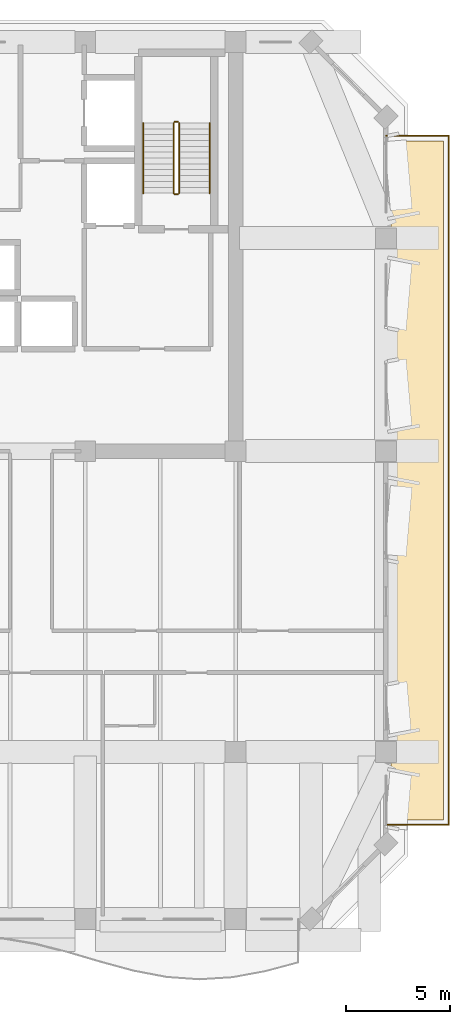
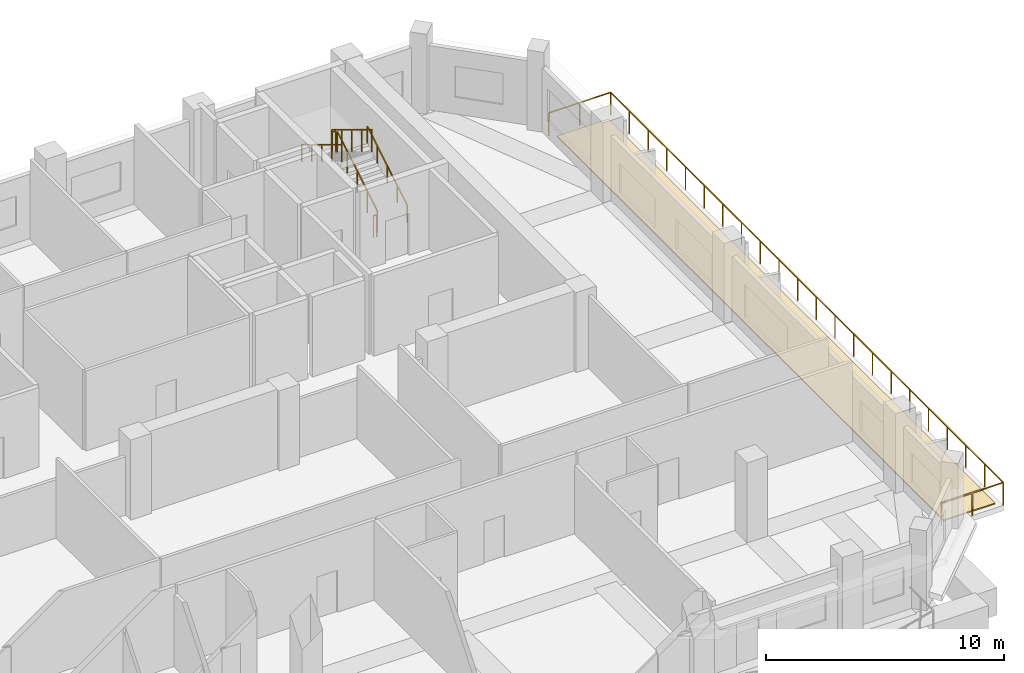
# One storey, part 12 of 12: 7 railings, 1 covering.
"""IFC4 building model written with IfcOpenShell, lengths in metres."""

from ifc_helpers import new_model, si_unit, direction, frame, origin, origin_2d, place, context, subcontext, project, spatial, polyline, rectangle, outline, extrude, material, layer, layer_set, type_object, element, save


model = new_model("IFC4")

# Units and contexts
model_context = context("Model", 3, precision=1e-05, world=origin(), true_north=direction((0.0, 1.0)))
body_context = subcontext(model_context, "Body", "Model", "MODEL_VIEW")
ifc_project = project(units=[si_unit("LENGTHUNIT", "METRE"), si_unit("AREAUNIT", "SQUARE_METRE"), si_unit("VOLUMEUNIT", "CUBIC_METRE"), si_unit("PLANEANGLEUNIT", "RADIAN"), si_unit("MASSUNIT", "GRAM", prefix="KILO")], contexts=[model_context])

# Site, building, storey
site_placement = place(None, origin())
site = spatial("IfcSite", under=ifc_project, at=site_placement, CompositionType="ELEMENT")
building_placement = place(site_placement, origin())
building = spatial("IfcBuilding", under=site, at=building_placement, Name="Kaelvorn Grand Hotel", CompositionType="ELEMENT")
storey_placement = place(building_placement, frame((0.0, 0.0, 285.89990234375)))
storey = spatial("IfcBuildingStorey", under=building, at=storey_placement, Name="L70", CompositionType="ELEMENT", Elevation=285.89990234375)

# Covering
ifc_material_1 = material(Name="Insulated Elastomeric Waterproofing Roof Membrane")
ifc_layer = layer(ifc_material_1, 0.1201171875)
ifc_layer_set = layer_set([ifc_layer], Name="Insulated Elastomeric Waterproofing Roof Membrane")
covering_type = type_object("IfcCoveringType", Name="COV-ROOF-MEMBRANE-120", PredefinedType="ROOFING", material=ifc_layer_set)
covering_placement = place(storey_placement, origin())
element("IfcCovering", 1, at=covering_placement, inside=storey, type_object=covering_type, Name="L70 Setback Terrace Waterproofing Membrane E", PredefinedType="ROOFING", context=body_context, shape_type="SweptSolid", body=[
    extrude(outline(polyline([(75.25, 11.75), (77.75, 11.75), (77.75, 44.25), (75.25, 44.25), (75.25, 11.75)])), origin(), (0.0, 0.0, 1.0), 0.06005859375),
])

# Railings
ifc_material_2 = material(Name="Stainless Steel", Category="steel")
railing_type_1 = type_object("IfcRailingType", Name="RL-HANDRAIL-900", PredefinedType="HANDRAIL", material=ifc_material_2)
railing_1_placement = place(storey_placement, frame((66.550048828125, 41.760009765625, 0.16943359375)))
element("IfcRailing", 2, at=railing_1_placement, inside=storey, type_object=railing_type_1, Name="L70 ST3 stair handrail 1", PredefinedType="HANDRAIL", context=body_context, shape_type="SweptSolid", body=[
    extrude(rectangle(XDim=0.048095703125, YDim=0.048095703125, at=origin_2d()), frame((0.0, 0.0, 0.8759765625), z_axis=(0.0, 0.855836976705, 0.517245656632), x_axis=(-1.0, 0.0, 0.0)), (0.0, 0.0, 1.0), 3.926025390625),
    extrude(rectangle(XDim=0.0419921875, YDim=0.0419921875, at=origin_2d()), origin(), (0.0, 0.0, 1.0), 0.851806640625),
    extrude(rectangle(XDim=0.0419921875, YDim=0.0419921875, at=origin_2d()), frame((0.0, 0.840087890625, 0.5078125)), (0.0, 0.0, 1.0), 0.851806640625),
    extrude(rectangle(XDim=0.0419921875, YDim=0.0419921875, at=origin_2d()), frame((0.0, 1.68017578125, 1.015380859375)), (0.0, 0.0, 1.0), 0.851806640625),
    extrude(rectangle(XDim=0.0419921875, YDim=0.0419921875, at=origin_2d()), frame((0.0, 2.52001953125, 1.52294921875)), (0.0, 0.0, 1.0), 0.851806640625),
    extrude(rectangle(XDim=0.0419921875, YDim=0.0419921875, at=origin_2d()), frame((0.0, 3.360107421875, 2.03076171875)), (0.0, 0.0, 1.0), 0.851806640625),
])
railing_2_placement = place(storey_placement, frame((63.3701171875, 45.1201171875, 2.369384765625)))
element("IfcRailing", 3, at=railing_2_placement, inside=storey, type_object=railing_type_1, Name="L70 ST3 stair handrail 2", PredefinedType="HANDRAIL", context=body_context, shape_type="SweptSolid", body=[
    extrude(rectangle(XDim=0.048095703125, YDim=0.048095703125, at=origin_2d()), frame((0.0, 0.0, 0.8759765625), z_axis=(0.0, -0.855836976705, 0.517245656632), x_axis=(1.0, 0.0, 0.0)), (0.0, 0.0, 1.0), 3.926025390625),
    extrude(rectangle(XDim=0.0419921875, YDim=0.0419921875, at=origin_2d()), origin(), (0.0, 0.0, 1.0), 0.851806640625),
    extrude(rectangle(XDim=0.0419921875, YDim=0.0419921875, at=origin_2d()), frame((0.0, -0.840087890625, 0.5078125)), (0.0, 0.0, 1.0), 0.851806640625),
    extrude(rectangle(XDim=0.0419921875, YDim=0.0419921875, at=origin_2d()), frame((0.0, -1.68017578125, 1.015380859375)), (0.0, 0.0, 1.0), 0.851806640625),
    extrude(rectangle(XDim=0.0419921875, YDim=0.0419921875, at=origin_2d()), frame((0.0, -2.52001953125, 1.52294921875)), (0.0, 0.0, 1.0), 0.851806640625),
    extrude(rectangle(XDim=0.0419921875, YDim=0.0419921875, at=origin_2d()), frame((0.0, -3.360107421875, 2.03076171875)), (0.0, 0.0, 1.0), 0.851806640625),
])
railing_type_2 = type_object("IfcRailingType", Name="RL-OBS-1200", PredefinedType="BALUSTRADE", material=ifc_material_2)
railing_3_placement = place(storey_placement, frame((75.0, 44.5, 0.0)))
element("IfcRailing", 4, at=railing_3_placement, inside=storey, type_object=railing_type_2, Name="L70 Setback Sky Terrace Balustrade E", PredefinedType="BALUSTRADE", context=body_context, shape_type="SweptSolid", body=[
    extrude(rectangle(XDim=0.048095703125, YDim=0.048095703125, at=origin_2d()), frame((0.0, 0.0, 1.17578125), z_axis=(1.0, 0.0, 0.0), x_axis=(0.0, 1.0, 0.0)), (0.0, 0.0, 1.0), 3.0),
    extrude(rectangle(XDim=0.048095703125, YDim=0.048095703125, at=origin_2d()), frame((3.0, 0.0, 1.17578125), z_axis=(0.0, -1.0, 0.0), x_axis=(1.0, 0.0, 0.0)), (0.0, 0.0, 1.0), 33.0),
    extrude(rectangle(XDim=0.048095703125, YDim=0.048095703125, at=origin_2d()), frame((3.0, -33.0, 1.17578125), z_axis=(-1.0, 0.0, 0.0), x_axis=(0.0, -1.0, 0.0)), (0.0, 0.0, 1.0), 3.0),
    extrude(rectangle(XDim=0.0419921875, YDim=0.0419921875, at=origin_2d()), origin(), (0.0, 0.0, 1.0), 1.15185546875),
    extrude(rectangle(XDim=0.0419921875, YDim=0.0419921875, at=origin_2d()), frame((1.5, 0.0, 0.0)), (0.0, 0.0, 1.0), 1.15185546875),
    extrude(rectangle(XDim=0.0419921875, YDim=0.0419921875, at=origin_2d()), frame((3.0, 0.0, 0.0)), (0.0, 0.0, 1.0), 1.15185546875),
    extrude(rectangle(XDim=0.0419921875, YDim=0.0419921875, at=origin_2d()), frame((3.0, -1.571533203125, 0.0)), (0.0, 0.0, 1.0), 1.15185546875),
    extrude(rectangle(XDim=0.0419921875, YDim=0.0419921875, at=origin_2d()), frame((3.0, -3.142822265625, 0.0)), (0.0, 0.0, 1.0), 1.15185546875),
    extrude(rectangle(XDim=0.0419921875, YDim=0.0419921875, at=origin_2d()), frame((3.0, -4.71435546875, 0.0)), (0.0, 0.0, 1.0), 1.15185546875),
    extrude(rectangle(XDim=0.0419921875, YDim=0.0419921875, at=origin_2d()), frame((3.0, -6.28564453125, 0.0)), (0.0, 0.0, 1.0), 1.15185546875),
    extrude(rectangle(XDim=0.0419921875, YDim=0.0419921875, at=origin_2d()), frame((3.0, -7.857177734375, 0.0)), (0.0, 0.0, 1.0), 1.15185546875),
    extrude(rectangle(XDim=0.0419921875, YDim=0.0419921875, at=origin_2d()), frame((3.0, -9.428466796875, 0.0)), (0.0, 0.0, 1.0), 1.15185546875),
    extrude(rectangle(XDim=0.0419921875, YDim=0.0419921875, at=origin_2d()), frame((3.0, -11.0, 0.0)), (0.0, 0.0, 1.0), 1.15185546875),
    extrude(rectangle(XDim=0.0419921875, YDim=0.0419921875, at=origin_2d()), frame((3.0, -12.571533203125, 0.0)), (0.0, 0.0, 1.0), 1.15185546875),
    extrude(rectangle(XDim=0.0419921875, YDim=0.0419921875, at=origin_2d()), frame((3.0, -14.142822265625, 0.0)), (0.0, 0.0, 1.0), 1.15185546875),
    extrude(rectangle(XDim=0.0419921875, YDim=0.0419921875, at=origin_2d()), frame((3.0, -15.71435546875, 0.0)), (0.0, 0.0, 1.0), 1.15185546875),
    extrude(rectangle(XDim=0.0419921875, YDim=0.0419921875, at=origin_2d()), frame((3.0, -17.28564453125, 0.0)), (0.0, 0.0, 1.0), 1.15185546875),
    extrude(rectangle(XDim=0.0419921875, YDim=0.0419921875, at=origin_2d()), frame((3.0, -18.857177734375, 0.0)), (0.0, 0.0, 1.0), 1.15185546875),
    extrude(rectangle(XDim=0.0419921875, YDim=0.0419921875, at=origin_2d()), frame((3.0, -20.428466796875, 0.0)), (0.0, 0.0, 1.0), 1.15185546875),
    extrude(rectangle(XDim=0.0419921875, YDim=0.0419921875, at=origin_2d()), frame((3.0, -22.0, 0.0)), (0.0, 0.0, 1.0), 1.15185546875),
    extrude(rectangle(XDim=0.0419921875, YDim=0.0419921875, at=origin_2d()), frame((3.0, -23.571533203125, 0.0)), (0.0, 0.0, 1.0), 1.15185546875),
    extrude(rectangle(XDim=0.0419921875, YDim=0.0419921875, at=origin_2d()), frame((3.0, -25.142822265625, 0.0)), (0.0, 0.0, 1.0), 1.15185546875),
    extrude(rectangle(XDim=0.0419921875, YDim=0.0419921875, at=origin_2d()), frame((3.0, -26.71435546875, 0.0)), (0.0, 0.0, 1.0), 1.15185546875),
    extrude(rectangle(XDim=0.0419921875, YDim=0.0419921875, at=origin_2d()), frame((3.0, -28.28564453125, 0.0)), (0.0, 0.0, 1.0), 1.15185546875),
    extrude(rectangle(XDim=0.0419921875, YDim=0.0419921875, at=origin_2d()), frame((3.0, -29.857177734375, 0.0)), (0.0, 0.0, 1.0), 1.15185546875),
    extrude(rectangle(XDim=0.0419921875, YDim=0.0419921875, at=origin_2d()), frame((3.0, -31.428466796875, 0.0)), (0.0, 0.0, 1.0), 1.15185546875),
    extrude(rectangle(XDim=0.0419921875, YDim=0.0419921875, at=origin_2d()), frame((3.0, -33.0, 0.0)), (0.0, 0.0, 1.0), 1.15185546875),
    extrude(rectangle(XDim=0.0419921875, YDim=0.0419921875, at=origin_2d()), frame((1.5, -33.0, 0.0)), (0.0, 0.0, 1.0), 1.15185546875),
    extrude(rectangle(XDim=0.0419921875, YDim=0.0419921875, at=origin_2d()), frame((0.0, -33.0, 0.0)), (0.0, 0.0, 1.0), 1.15185546875),
])
railing_type_3 = type_object("IfcRailingType", Name="RL-STAIR-GUARD-1150", PredefinedType="BALUSTRADE", material=ifc_material_2)
railing_4_placement = place(storey_placement, frame((65.090087890625, 41.760009765625, 0.16943359375)))
element("IfcRailing", 5, at=railing_4_placement, inside=storey, type_object=railing_type_3, Name="L70 ST3 stair guard 1", PredefinedType="BALUSTRADE", context=body_context, shape_type="SweptSolid", body=[
    extrude(rectangle(XDim=0.048095703125, YDim=0.048095703125, at=origin_2d()), frame((0.0, 0.0, 1.1259765625), z_axis=(0.0, 0.855836976705, 0.517245656632), x_axis=(-1.0, 0.0, 0.0)), (0.0, 0.0, 1.0), 3.926025390625),
    extrude(rectangle(XDim=0.0419921875, YDim=0.0419921875, at=origin_2d()), origin(), (0.0, 0.0, 1.0), 1.101806640625),
    extrude(rectangle(XDim=0.0419921875, YDim=0.0419921875, at=origin_2d()), frame((0.0, 0.840087890625, 0.5078125)), (0.0, 0.0, 1.0), 1.101806640625),
    extrude(rectangle(XDim=0.0419921875, YDim=0.0419921875, at=origin_2d()), frame((0.0, 1.68017578125, 1.015380859375)), (0.0, 0.0, 1.0), 1.101806640625),
    extrude(rectangle(XDim=0.0419921875, YDim=0.0419921875, at=origin_2d()), frame((0.0, 2.52001953125, 1.52294921875)), (0.0, 0.0, 1.0), 1.101806640625),
    extrude(rectangle(XDim=0.0419921875, YDim=0.0419921875, at=origin_2d()), frame((0.0, 3.360107421875, 2.03076171875)), (0.0, 0.0, 1.0), 1.101806640625),
])
railing_5_placement = place(storey_placement, frame((65.0400390625, 45.169921875, 2.2001953125)))
element("IfcRailing", 6, at=railing_5_placement, inside=storey, type_object=railing_type_3, Name="L70 ST3 stair guard 2", PredefinedType="BALUSTRADE", context=body_context, shape_type="SweptSolid", body=[
    extrude(rectangle(XDim=0.048095703125, YDim=0.048095703125, at=origin_2d()), frame((0.0, 0.0, 1.1259765625), z_axis=(-1.0, 0.0, 0.0), x_axis=(0.0, -1.0, 0.0)), (0.0, 0.0, 1.0), 0.16015625),
    extrude(rectangle(XDim=0.0419921875, YDim=0.0419921875, at=origin_2d()), origin(), (0.0, 0.0, 1.0), 1.101806640625),
    extrude(rectangle(XDim=0.0419921875, YDim=0.0419921875, at=origin_2d()), frame((-0.16015625, 0.0, 0.0)), (0.0, 0.0, 1.0), 1.101806640625),
])
railing_6_placement = place(storey_placement, frame((64.830078125, 45.1201171875, 2.369384765625)))
element("IfcRailing", 7, at=railing_6_placement, inside=storey, type_object=railing_type_3, Name="L70 ST3 stair guard 3", PredefinedType="BALUSTRADE", context=body_context, shape_type="SweptSolid", body=[
    extrude(rectangle(XDim=0.048095703125, YDim=0.048095703125, at=origin_2d()), frame((0.0, 0.0, 1.1259765625), z_axis=(0.0, -0.855836976705, 0.517245656632), x_axis=(1.0, 0.0, 0.0)), (0.0, 0.0, 1.0), 3.926025390625),
    extrude(rectangle(XDim=0.0419921875, YDim=0.0419921875, at=origin_2d()), origin(), (0.0, 0.0, 1.0), 1.101806640625),
    extrude(rectangle(XDim=0.0419921875, YDim=0.0419921875, at=origin_2d()), frame((0.0, -0.840087890625, 0.5078125)), (0.0, 0.0, 1.0), 1.101806640625),
    extrude(rectangle(XDim=0.0419921875, YDim=0.0419921875, at=origin_2d()), frame((0.0, -1.68017578125, 1.015380859375)), (0.0, 0.0, 1.0), 1.101806640625),
    extrude(rectangle(XDim=0.0419921875, YDim=0.0419921875, at=origin_2d()), frame((0.0, -2.52001953125, 1.52294921875)), (0.0, 0.0, 1.0), 1.101806640625),
    extrude(rectangle(XDim=0.0419921875, YDim=0.0419921875, at=origin_2d()), frame((0.0, -3.360107421875, 2.03076171875)), (0.0, 0.0, 1.0), 1.101806640625),
])
railing_7_placement = place(storey_placement, frame((65.0400390625, 41.7099609375, 0.0)))
element("IfcRailing", 8, at=railing_7_placement, inside=storey, type_object=railing_type_3, Name="L70 ST3 stair guard 4", PredefinedType="BALUSTRADE", context=body_context, shape_type="SweptSolid", body=[
    extrude(rectangle(XDim=0.048095703125, YDim=0.048095703125, at=origin_2d()), frame((0.0, 0.0, 1.1259765625), z_axis=(-1.0, 0.0, 0.0), x_axis=(0.0, -1.0, 0.0)), (0.0, 0.0, 1.0), 0.16015625),
    extrude(rectangle(XDim=0.0419921875, YDim=0.0419921875, at=origin_2d()), origin(), (0.0, 0.0, 1.0), 1.101806640625),
    extrude(rectangle(XDim=0.0419921875, YDim=0.0419921875, at=origin_2d()), frame((-0.16015625, 0.0, 0.0)), (0.0, 0.0, 1.0), 1.101806640625),
])

save(model, "model.ifc")
